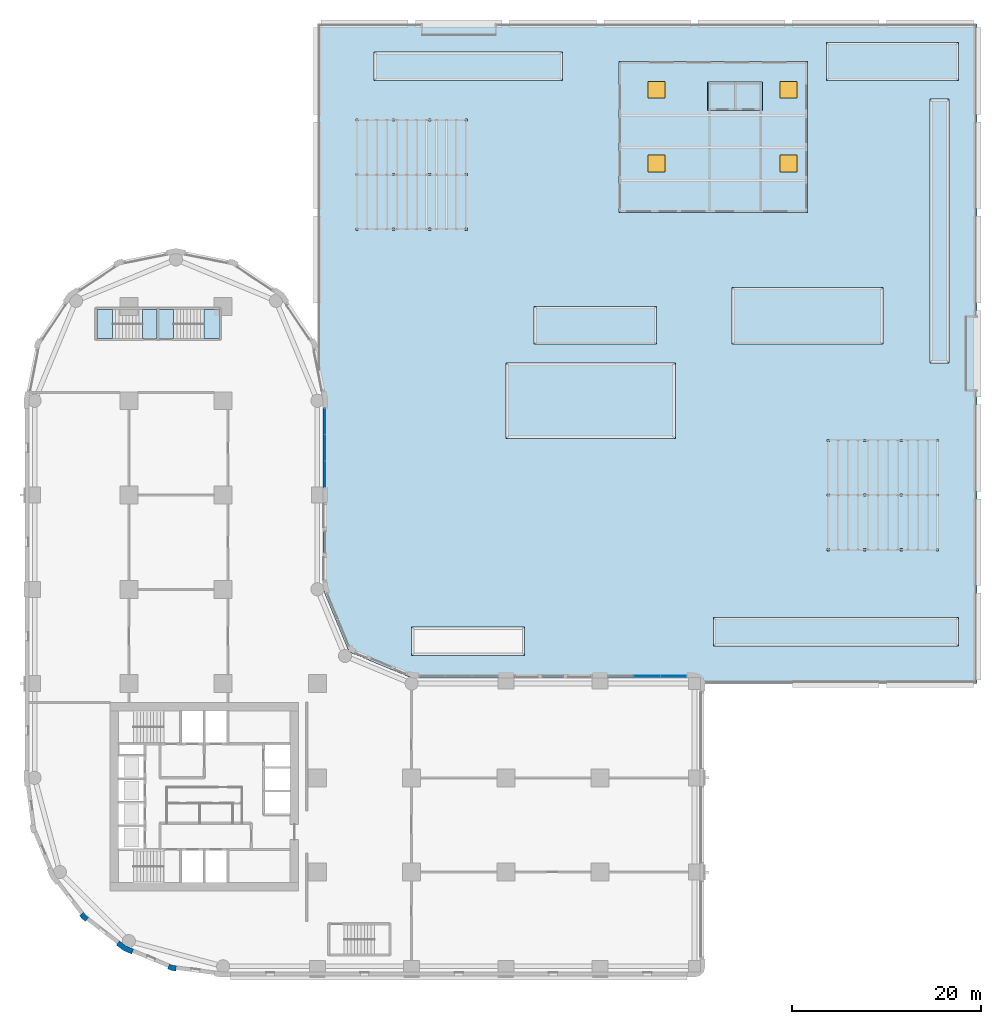
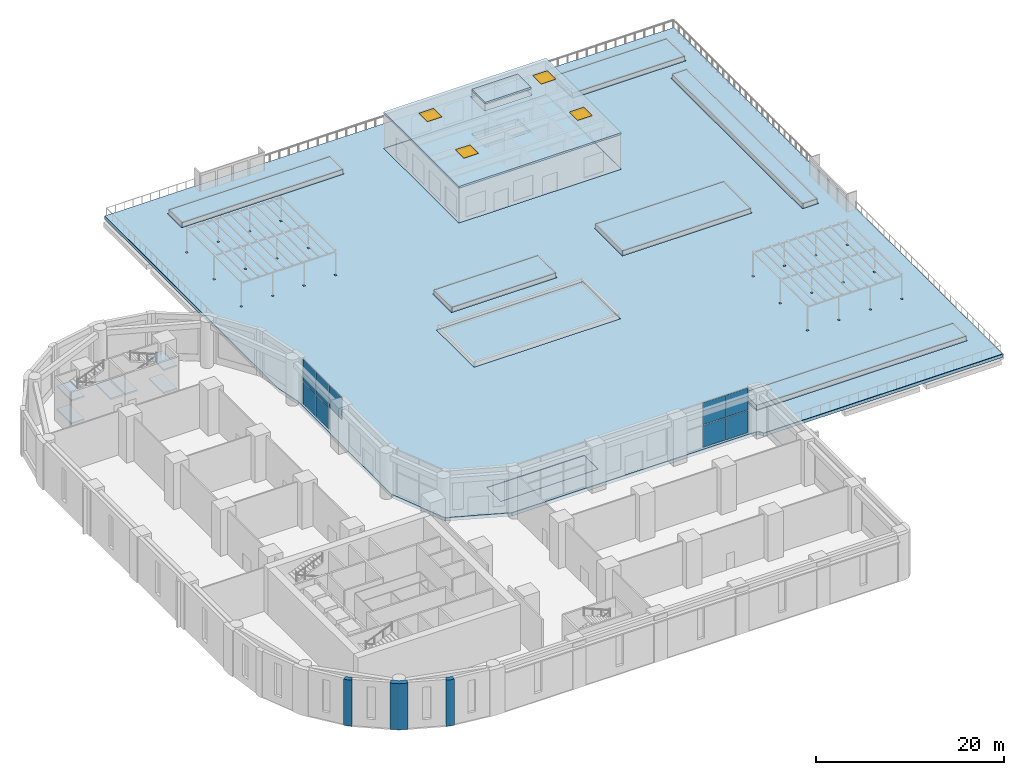
# One storey, part 12 of 28: 16 slabs, 9 plates, 4 windows, 3 walls, 4 openings, 4 elements without a shape of their own.
"""IFC4 building model written with IfcOpenShell, lengths in metres."""

from ifc_helpers import new_model, si_unit, direction, frame, origin, origin_2d, place, context, subcontext, project, spatial, polyline, rectangle, outline, extrude, material, layer, layer_set, type_object, element, fill, aggregate, save


model = new_model("IFC4")

# Units and contexts
model_context = context("Model", 3, precision=1e-05, world=origin(), true_north=direction((0.0, 1.0)))
body_context = subcontext(model_context, "Body", "Model", "MODEL_VIEW")
ifc_project = project(units=[si_unit("LENGTHUNIT", "METRE"), si_unit("AREAUNIT", "SQUARE_METRE"), si_unit("VOLUMEUNIT", "CUBIC_METRE"), si_unit("PLANEANGLEUNIT", "RADIAN"), si_unit("MASSUNIT", "GRAM", prefix="KILO")], contexts=[model_context])

# Site, building, storey
site_placement = place(None, origin())
site = spatial("IfcSite", under=ifc_project, at=site_placement, CompositionType="ELEMENT")
building_placement = place(site_placement, origin())
building = spatial("IfcBuilding", under=site, at=building_placement, Name="Qaws Garden Tower", CompositionType="ELEMENT")
storey_placement = place(building_placement, frame((0.0, 0.0, 6.0)))
storey = spatial("IfcBuildingStorey", under=building, at=storey_placement, Name="L01", CompositionType="ELEMENT", Elevation=6.0)

# Curtain wall, plates
ifc_material_1 = material(Name="Anodised aluminium curtain wall frame", Category="aluminium")
ifc_layer_1 = layer(ifc_material_1, 0.159912109375)
ifc_layer_set_1 = layer_set([ifc_layer_1], Name="Anodised aluminium curtain wall frame")
curtain_wall_type = type_object("IfcCurtainWallType", Name="CW4 garden level glazing curtain wall", PredefinedType="NOTDEFINED", material=ifc_layer_set_1)
placement_1 = place(storey_placement, origin())
curtain_wall_1 = element("IfcCurtainWall", 1, at=placement_1, inside=storey, type_object=curtain_wall_type, Name="CW4 Garden level glazing 08", PredefinedType="NOTDEFINED")
ifc_material_2 = material(Name="Clear laminated glass", Category="glass")
ifc_layer_2 = layer(ifc_material_2, 0.028076171875)
ifc_layer_set_2 = layer_set([ifc_layer_2], Name="Clear laminated glass")
plate_type = type_object("IfcPlateType", Name="CW4 glass panel 28", PredefinedType="CURTAIN_PANEL", material=ifc_layer_set_2)
plate_1_placement = place(storey_placement, frame((67.78759765625, 30.800048828125, 0.099853515625), z_axis=(0.0, 0.0, 1.0), x_axis=(-1.0, 0.0, 0.0)))
plate_1 = element("IfcPlate", 2, at=plate_1_placement, type_object=plate_type, Name="CW4 panel 1.1", PredefinedType="CURTAIN_PANEL", context=body_context, shape_type="SweptSolid", body=[
    extrude(rectangle(XDim=2.72509765625, YDim=0.028076171875, at=origin_2d()), origin(), (0.0, 0.0, 1.0), 2.85009765625),
])
plate_2_placement = place(storey_placement, frame((67.78759765625, 30.800048828125, 3.050048828125), z_axis=(0.0, 0.0, 1.0), x_axis=(-1.0, 0.0, 0.0)))
plate_2 = element("IfcPlate", 3, at=plate_2_placement, type_object=plate_type, Name="CW4 panel 1.2", PredefinedType="CURTAIN_PANEL", context=body_context, shape_type="SweptSolid", body=[
    extrude(rectangle(XDim=2.72509765625, YDim=0.028076171875, at=origin_2d()), origin(), (0.0, 0.0, 1.0), 2.85009765625),
])
plate_3_placement = place(storey_placement, frame((65.0, 30.800048828125, 0.099853515625), z_axis=(0.0, 0.0, 1.0), x_axis=(-1.0, 0.0, 0.0)))
plate_3 = element("IfcPlate", 4, at=plate_3_placement, type_object=plate_type, Name="CW4 panel 2.1", PredefinedType="CURTAIN_PANEL", context=body_context, shape_type="SweptSolid", body=[
    extrude(rectangle(XDim=2.75, YDim=0.028076171875, at=origin_2d()), origin(), (0.0, 0.0, 1.0), 2.85009765625),
])
plate_4_placement = place(storey_placement, frame((65.0, 30.800048828125, 3.050048828125), z_axis=(0.0, 0.0, 1.0), x_axis=(-1.0, 0.0, 0.0)))
plate_4 = element("IfcPlate", 5, at=plate_4_placement, type_object=plate_type, Name="CW4 panel 2.2", PredefinedType="CURTAIN_PANEL", context=body_context, shape_type="SweptSolid", body=[
    extrude(rectangle(XDim=2.75, YDim=0.028076171875, at=origin_2d()), origin(), (0.0, 0.0, 1.0), 2.85009765625),
])
aggregate(curtain_wall_1, [plate_1, plate_2, plate_3, plate_4])

curtain_wall_2 = element("IfcCurtainWall", 6, at=placement_1, inside=storey, type_object=curtain_wall_type, Name="CW4 Garden level glazing 14", PredefinedType="NOTDEFINED")
plate_5_placement = place(storey_placement, frame((30.800048828125, 52.21240234375, 3.050048828125), z_axis=(0.0, 0.0, 1.0), x_axis=(0.0, 1.0, 0.0)))
plate_5 = element("IfcPlate", 7, at=plate_5_placement, type_object=plate_type, Name="CW4 panel 1.2", PredefinedType="CURTAIN_PANEL", context=body_context, shape_type="SweptSolid", body=[
    extrude(rectangle(XDim=2.72509765625, YDim=0.028076171875, at=origin_2d()), origin(), (0.0, 0.0, 1.0), 2.85009765625),
])
plate_6_placement = place(storey_placement, frame((30.800048828125, 55.0, 0.099853515625), z_axis=(0.0, 0.0, 1.0), x_axis=(0.0, 1.0, 0.0)))
plate_6 = element("IfcPlate", 8, at=plate_6_placement, type_object=plate_type, Name="CW4 panel 2.1", PredefinedType="CURTAIN_PANEL", context=body_context, shape_type="SweptSolid", body=[
    extrude(rectangle(XDim=2.75, YDim=0.028076171875, at=origin_2d()), origin(), (0.0, 0.0, 1.0), 2.85009765625),
])
plate_7_placement = place(storey_placement, frame((30.800048828125, 55.0, 3.050048828125), z_axis=(0.0, 0.0, 1.0), x_axis=(0.0, 1.0, 0.0)))
plate_7 = element("IfcPlate", 9, at=plate_7_placement, type_object=plate_type, Name="CW4 panel 2.2", PredefinedType="CURTAIN_PANEL", context=body_context, shape_type="SweptSolid", body=[
    extrude(rectangle(XDim=2.75, YDim=0.028076171875, at=origin_2d()), origin(), (0.0, 0.0, 1.0), 2.85009765625),
])
plate_8_placement = place(storey_placement, frame((30.800048828125, 57.78759765625, 0.099853515625), z_axis=(0.0, 0.0, 1.0), x_axis=(0.0, 1.0, 0.0)))
plate_8 = element("IfcPlate", 10, at=plate_8_placement, type_object=plate_type, Name="CW4 panel 3.1", PredefinedType="CURTAIN_PANEL", context=body_context, shape_type="SweptSolid", body=[
    extrude(rectangle(XDim=2.72509765625, YDim=0.028076171875, at=origin_2d()), origin(), (0.0, 0.0, 1.0), 2.85009765625),
])
plate_9_placement = place(storey_placement, frame((30.800048828125, 57.78759765625, 3.050048828125), z_axis=(0.0, 0.0, 1.0), x_axis=(0.0, 1.0, 0.0)))
plate_9 = element("IfcPlate", 11, at=plate_9_placement, type_object=plate_type, Name="CW4 panel 3.2", PredefinedType="CURTAIN_PANEL", context=body_context, shape_type="SweptSolid", body=[
    extrude(rectangle(XDim=2.72509765625, YDim=0.028076171875, at=origin_2d()), origin(), (0.0, 0.0, 1.0), 2.85009765625),
])
aggregate(curtain_wall_2, [plate_5, plate_6, plate_7, plate_8, plate_9])

# Slabs
ifc_material_3 = material(Name="Limestone paving", Category="masonry")
ifc_layer_3 = layer(ifc_material_3, 0.0400390625)
ifc_layer_set_3 = layer_set([ifc_layer_3], Name="Limestone paving")
slab_type_1 = type_object("IfcSlabType", Name="Deck paving 40", PredefinedType="FLOOR", material=ifc_layer_set_3)
placement_2 = place(storey_placement, frame((0.0, 0.0, -0.0400390625)))
element("IfcSlab", 12, at=placement_2, inside=storey, type_object=slab_type_1, Name="Deck paving", PredefinedType="FLOOR", context=body_context, shape_type="SweptSolid", body=[
    extrude(outline(polyline([(70.60009765625, 30.0), (100.0, 30.0), (100.0, 61.0), (100.0, 63.0), (100.0, 65.0), (100.0, 67.0), (100.0, 69.0), (100.0, 100.0), (49.0, 100.0), (47.0, 100.0), (45.0, 100.0), (43.0, 100.0), (41.0, 100.0), (30.0, 100.0), (30.0, 63.016357421875), (30.60009765625, 60.0), (30.60009765625, 40.0), (33.353271484375, 33.353271484375), (40.0, 30.60009765625), (70.0, 30.60009765625), (70.42431640625, 30.42431640625), (70.60009765625, 30.0)]), holes=[polyline([(34.320068359375, 78.080078125), (34.320068359375, 78.320068359375), (34.080078125, 78.320068359375), (34.080078125, 78.080078125), (34.320068359375, 78.080078125)]), polyline([(38.186767578125, 78.080078125), (38.186767578125, 78.320068359375), (37.94677734375, 78.320068359375), (37.94677734375, 78.080078125), (38.186767578125, 78.080078125)]), polyline([(42.05322265625, 78.080078125), (42.05322265625, 78.320068359375), (41.813232421875, 78.320068359375), (41.813232421875, 78.080078125), (42.05322265625, 78.080078125)]), polyline([(45.679931640625, 78.080078125), (45.919921875, 78.080078125), (45.919921875, 78.320068359375), (45.679931640625, 78.320068359375), (45.679931640625, 78.080078125)]), polyline([(34.080078125, 83.8798828125), (34.320068359375, 83.8798828125), (34.320068359375, 84.1201171875), (34.080078125, 84.1201171875), (34.080078125, 83.8798828125)]), polyline([(38.186767578125, 83.8798828125), (38.186767578125, 84.1201171875), (37.94677734375, 84.1201171875), (37.94677734375, 83.8798828125), (38.186767578125, 83.8798828125)]), polyline([(42.05322265625, 83.8798828125), (42.05322265625, 84.1201171875), (41.813232421875, 84.1201171875), (41.813232421875, 83.8798828125), (42.05322265625, 83.8798828125)]), polyline([(45.919921875, 83.8798828125), (45.919921875, 84.1201171875), (45.679931640625, 84.1201171875), (45.679931640625, 83.8798828125), (45.919921875, 83.8798828125)]), polyline([(34.080078125, 89.679931640625), (34.320068359375, 89.679931640625), (34.320068359375, 89.919921875), (34.080078125, 89.919921875), (34.080078125, 89.679931640625)]), polyline([(37.94677734375, 89.679931640625), (38.186767578125, 89.679931640625), (38.186767578125, 89.919921875), (37.94677734375, 89.919921875), (37.94677734375, 89.679931640625)]), polyline([(42.05322265625, 89.679931640625), (42.05322265625, 89.919921875), (41.813232421875, 89.919921875), (41.813232421875, 89.679931640625), (42.05322265625, 89.679931640625)]), polyline([(45.919921875, 89.679931640625), (45.919921875, 89.919921875), (45.679931640625, 89.919921875), (45.679931640625, 89.679931640625), (45.919921875, 89.679931640625)]), polyline([(40.0, 33.0), (52.0, 33.0), (52.0, 36.0), (40.0, 36.0), (40.0, 33.0)]), polyline([(98.0, 34.0), (98.0, 37.0), (72.0, 37.0), (72.0, 34.0), (98.0, 34.0)]), polyline([(84.320068359375, 44.080078125), (84.320068359375, 44.320068359375), (84.080078125, 44.320068359375), (84.080078125, 44.080078125), (84.320068359375, 44.080078125)]), polyline([(88.186767578125, 44.080078125), (88.186767578125, 44.320068359375), (87.94677734375, 44.320068359375), (87.94677734375, 44.080078125), (88.186767578125, 44.080078125)]), polyline([(84.080078125, 49.8798828125), (84.320068359375, 49.8798828125), (84.320068359375, 50.1201171875), (84.080078125, 50.1201171875), (84.080078125, 49.8798828125)]), polyline([(87.94677734375, 49.8798828125), (88.186767578125, 49.8798828125), (88.186767578125, 50.1201171875), (87.94677734375, 50.1201171875), (87.94677734375, 49.8798828125)]), polyline([(84.320068359375, 55.679931640625), (84.320068359375, 55.919921875), (84.080078125, 55.919921875), (84.080078125, 55.679931640625), (84.320068359375, 55.679931640625)]), polyline([(68.0, 56.0), (68.0, 64.0), (50.0, 64.0), (50.0, 56.0), (68.0, 56.0)]), polyline([(66.0, 66.0), (66.0, 70.0), (53.0, 70.0), (53.0, 66.0), (66.0, 66.0)]), polyline([(74.0, 66.0), (90.0, 66.0), (90.0, 72.0), (74.0, 72.0), (74.0, 66.0)]), polyline([(62.0, 80.0), (82.0, 80.0), (82.0, 96.0), (62.0, 96.0), (62.0, 80.0)]), polyline([(56.0, 94.0), (56.0, 97.0), (36.0, 97.0), (36.0, 94.0), (56.0, 94.0)]), polyline([(91.813232421875, 44.080078125), (92.05322265625, 44.080078125), (92.05322265625, 44.320068359375), (91.813232421875, 44.320068359375), (91.813232421875, 44.080078125)]), polyline([(95.679931640625, 44.080078125), (95.919921875, 44.080078125), (95.919921875, 44.320068359375), (95.679931640625, 44.320068359375), (95.679931640625, 44.080078125)]), polyline([(92.05322265625, 49.8798828125), (92.05322265625, 50.1201171875), (91.813232421875, 50.1201171875), (91.813232421875, 49.8798828125), (92.05322265625, 49.8798828125)]), polyline([(95.919921875, 49.8798828125), (95.919921875, 50.1201171875), (95.679931640625, 50.1201171875), (95.679931640625, 49.8798828125), (95.919921875, 49.8798828125)]), polyline([(88.186767578125, 55.679931640625), (88.186767578125, 55.919921875), (87.94677734375, 55.919921875), (87.94677734375, 55.679931640625), (88.186767578125, 55.679931640625)]), polyline([(91.813232421875, 55.679931640625), (92.05322265625, 55.679931640625), (92.05322265625, 55.919921875), (91.813232421875, 55.919921875), (91.813232421875, 55.679931640625)]), polyline([(95.679931640625, 55.679931640625), (95.919921875, 55.679931640625), (95.919921875, 55.919921875), (95.679931640625, 55.919921875), (95.679931640625, 55.679931640625)]), polyline([(95.0, 64.0), (97.0, 64.0), (97.0, 92.0), (95.0, 92.0), (95.0, 64.0)]), polyline([(84.0, 94.0), (98.0, 94.0), (98.0, 98.0), (84.0, 98.0), (84.0, 94.0)])]), origin(), (0.0, 0.0, 1.0), 0.0400390625),
])
ifc_material_4 = material(Name="Concrete C45", Category="concrete")
ifc_layer_4 = layer(ifc_material_4, 0.409912109375)
ifc_layer_set_4 = layer_set([ifc_layer_4], Name="Concrete C45")
slab_type_2 = type_object("IfcSlabType", Name="Garden deck slab 410", PredefinedType="FLOOR", material=ifc_layer_set_4)
slab_2_placement = place(storey_placement, frame((0.0, 0.0, -0.449951171875)))
element("IfcSlab", 13, at=slab_2_placement, inside=storey, type_object=slab_type_2, Name="Garden deck slab", PredefinedType="FLOOR", context=body_context, shape_type="SweptSolid", body=[
    extrude(outline(polyline([(70.60009765625, 30.0), (100.0, 30.0), (100.0, 100.0), (30.0, 100.0), (30.0, 63.016357421875), (30.60009765625, 60.0), (30.60009765625, 40.0), (33.353271484375, 33.353271484375), (40.0, 30.60009765625), (70.0, 30.60009765625), (70.42431640625, 30.42431640625), (70.60009765625, 30.0)]), holes=[polyline([(77.14990234375, 93.699951171875), (71.5, 93.699951171875), (71.5, 90.89990234375), (77.14990234375, 90.89990234375), (77.14990234375, 93.699951171875)])]), origin(), (0.0, 0.0, 1.0), 0.409912109375),
])
ifc_material_5 = material(Name="Concrete C40", Category="concrete")
ifc_layer_5 = layer(ifc_material_5, 0.25)
ifc_layer_set_5 = layer_set([ifc_layer_5], Name="Concrete C40")
slab_type_3 = type_object("IfcSlabType", Name="Lift overrun roof 250", PredefinedType="ROOF", material=ifc_layer_set_5)
slab_3_placement = place(storey_placement, frame((0.0, 0.0, 5.5)))
element("IfcSlab", 14, at=slab_3_placement, inside=storey, type_object=slab_type_3, Name="Lift overrun roof", PredefinedType="ROOF", context=body_context, shape_type="SweptSolid", body=[
    extrude(outline(polyline([(71.5, 90.89990234375), (77.14990234375, 90.89990234375), (77.14990234375, 93.699951171875), (71.5, 93.699951171875), (71.5, 90.89990234375)])), origin(), (0.0, 0.0, 1.0), 0.25),
])
ifc_material_6 = material(Name="Planting soil")
ifc_layer_6 = layer(ifc_material_6, 0.60009765625)
ifc_layer_set_6 = layer_set([ifc_layer_6], Name="Planting soil")
slab_type_4 = type_object("IfcSlabType", Name="PLANTER bed 600", PredefinedType="FLOOR", material=ifc_layer_set_6)
element("IfcSlab", 15, at=placement_2, inside=storey, type_object=slab_type_4, Name="PLANTER 01", PredefinedType="FLOOR", context=body_context, shape_type="SweptSolid", body=[
    extrude(outline(polyline([(36.125, 94.125), (55.875, 94.125), (55.875, 96.875), (36.125, 96.875), (36.125, 94.125)])), origin(), (0.0, 0.0, 1.0), 0.60009765625),
])
element("IfcSlab", 16, at=placement_2, inside=storey, type_object=slab_type_4, Name="PLANTER 02", PredefinedType="FLOOR", context=body_context, shape_type="SweptSolid", body=[
    extrude(outline(polyline([(84.125, 94.125), (97.875, 94.125), (97.875, 97.875), (84.125, 97.875), (84.125, 94.125)])), origin(), (0.0, 0.0, 1.0), 0.60009765625),
])
element("IfcSlab", 17, at=placement_2, inside=storey, type_object=slab_type_4, Name="PLANTER 03", PredefinedType="FLOOR", context=body_context, shape_type="SweptSolid", body=[
    extrude(outline(polyline([(95.125, 64.125), (96.875, 64.125), (96.875, 91.875), (95.125, 91.875), (95.125, 64.125)])), origin(), (0.0, 0.0, 1.0), 0.60009765625),
])
element("IfcSlab", 18, at=placement_2, inside=storey, type_object=slab_type_4, Name="PLANTER 05", PredefinedType="FLOOR", context=body_context, shape_type="SweptSolid", body=[
    extrude(outline(polyline([(72.125, 34.125), (97.875, 34.125), (97.875, 36.875), (72.125, 36.875), (72.125, 34.125)])), origin(), (0.0, 0.0, 1.0), 0.60009765625),
])
element("IfcSlab", 19, at=placement_2, inside=storey, type_object=slab_type_4, Name="PLANTER 06", PredefinedType="FLOOR", context=body_context, shape_type="SweptSolid", body=[
    extrude(outline(polyline([(53.125, 66.125), (65.875, 66.125), (65.875, 69.875), (53.125, 69.875), (53.125, 66.125)])), origin(), (0.0, 0.0, 1.0), 0.60009765625),
])
element("IfcSlab", 20, at=placement_2, inside=storey, type_object=slab_type_4, Name="PLANTER 07", PredefinedType="FLOOR", context=body_context, shape_type="SweptSolid", body=[
    extrude(outline(polyline([(74.125, 66.125), (89.875, 66.125), (89.875, 71.875), (74.125, 71.875), (74.125, 66.125)])), origin(), (0.0, 0.0, 1.0), 0.60009765625),
])

# Slab, openings, windows
ifc_material_7 = material(Name="Concrete C40", Category="concrete")
ifc_layer_7 = layer(ifc_material_7, 0.25)
ifc_layer_set_7 = layer_set([ifc_layer_7], Name="Concrete C40")
slab_type_5 = type_object("IfcSlabType", Name="Pavilion roof 250", PredefinedType="ROOF", material=ifc_layer_set_7)
slab_10_placement = place(storey_placement, frame((0.0, 0.0, 4.5)))
slab_10 = element("IfcSlab", 21, at=slab_10_placement, inside=storey, type_object=slab_type_5, Name="Garden pavilion roof", PredefinedType="ROOF", context=body_context, shape_type="SweptSolid", body=[
    extrude(outline(polyline([(62.0, 80.0), (82.0, 80.0), (82.0, 96.0), (62.0, 96.0), (62.0, 80.0)]), holes=[polyline([(77.25, 93.800048828125), (71.39990234375, 93.800048828125), (71.39990234375, 90.800048828125), (77.25, 90.800048828125), (77.25, 93.800048828125)])]), origin(), (0.0, 0.0, 1.0), 0.25),
])
opening_1_placement = place(slab_10_placement, frame((66.0, 85.199951171875, 0.0)))
opening_1 = element("IfcOpeningElement", 22, at=opening_1_placement, cuts=slab_10, Name="Opening PW-S2", PredefinedType="OPENING", context=body_context, shape_type="SweptSolid", body=[
    extrude(rectangle(XDim=1.800048828125, YDim=1.800048828125, at=origin_2d()), origin(), (0.0, 0.0, 1.0), 0.25),
])
opening_2_placement = place(slab_10_placement, frame((80.0, 85.199951171875, 0.0)))
opening_2 = element("IfcOpeningElement", 23, at=opening_2_placement, cuts=slab_10, Name="Opening PW-S2", PredefinedType="OPENING", context=body_context, shape_type="SweptSolid", body=[
    extrude(rectangle(XDim=1.800048828125, YDim=1.800048828125, at=origin_2d()), origin(), (0.0, 0.0, 1.0), 0.25),
])
opening_3_placement = place(slab_10_placement, frame((66.0, 93.0, 0.0)))
opening_3 = element("IfcOpeningElement", 24, at=opening_3_placement, cuts=slab_10, Name="Opening PW-S2", PredefinedType="OPENING", context=body_context, shape_type="SweptSolid", body=[
    extrude(rectangle(XDim=1.800048828125, YDim=1.800048828125, at=origin_2d()), origin(), (0.0, 0.0, 1.0), 0.25),
])
opening_4_placement = place(slab_10_placement, frame((80.0, 93.0, 0.0)))
opening_4 = element("IfcOpeningElement", 25, at=opening_4_placement, cuts=slab_10, Name="Opening PW-S2", PredefinedType="OPENING", context=body_context, shape_type="SweptSolid", body=[
    extrude(rectangle(XDim=1.800048828125, YDim=1.800048828125, at=origin_2d()), origin(), (0.0, 0.0, 1.0), 0.25),
])
ifc_material_8 = material(Name="Aluminium and laminated glass", Category="aluminium")
window_type = type_object("IfcWindowType", Name="Pavilion skylight 1800", PartitioningType="SINGLE_PANEL", PredefinedType="SKYLIGHT", material=ifc_material_8)
window_1_placement = place(opening_1_placement, frame((0.0, 0.0, 0.199951171875)))
window_1 = element("IfcWindow", 26, at=window_1_placement, inside=storey, type_object=window_type, Name="Pavilion skylight", OverallHeight=1.800048828125, OverallWidth=1.800048828125, PartitioningType="SINGLE_PANEL", PredefinedType="SKYLIGHT", context=body_context, shape_type="SweptSolid", body=[
    extrude(rectangle(XDim=1.800048828125, YDim=1.800048828125, at=origin_2d()), origin(), (0.0, 0.0, 1.0), 0.050048828125),
])
fill(opening_1, window_1)
window_2_placement = place(opening_2_placement, frame((0.0, 0.0, 0.199951171875)))
window_2 = element("IfcWindow", 27, at=window_2_placement, inside=storey, type_object=window_type, Name="Pavilion skylight", OverallHeight=1.800048828125, OverallWidth=1.800048828125, PartitioningType="SINGLE_PANEL", PredefinedType="SKYLIGHT", context=body_context, shape_type="SweptSolid", body=[
    extrude(rectangle(XDim=1.800048828125, YDim=1.800048828125, at=origin_2d()), origin(), (0.0, 0.0, 1.0), 0.050048828125),
])
fill(opening_2, window_2)
window_3_placement = place(opening_3_placement, frame((0.0, 0.0, 0.199951171875)))
window_3 = element("IfcWindow", 28, at=window_3_placement, inside=storey, type_object=window_type, Name="Pavilion skylight", OverallHeight=1.800048828125, OverallWidth=1.800048828125, PartitioningType="SINGLE_PANEL", PredefinedType="SKYLIGHT", context=body_context, shape_type="SweptSolid", body=[
    extrude(rectangle(XDim=1.800048828125, YDim=1.800048828125, at=origin_2d()), origin(), (0.0, 0.0, 1.0), 0.050048828125),
])
fill(opening_3, window_3)
window_4_placement = place(opening_4_placement, frame((0.0, 0.0, 0.199951171875)))
window_4 = element("IfcWindow", 29, at=window_4_placement, inside=storey, type_object=window_type, Name="Pavilion skylight", OverallHeight=1.800048828125, OverallWidth=1.800048828125, PartitioningType="SINGLE_PANEL", PredefinedType="SKYLIGHT", context=body_context, shape_type="SweptSolid", body=[
    extrude(rectangle(XDim=1.800048828125, YDim=1.800048828125, at=origin_2d()), origin(), (0.0, 0.0, 1.0), 0.050048828125),
])
fill(opening_4, window_4)

# Stair, slabs
ifc_material_9 = material(Name="Concrete C40", Category="concrete")
stair_type = type_object("IfcStairType", Name="Exit stair 1350", PredefinedType="HALF_TURN_STAIR", material=ifc_material_9)
stair_1 = element("IfcStair", 30, at=placement_1, inside=storey, type_object=stair_type, Name="Stair 6", PredefinedType="HALF_TURN_STAIR")
ifc_material_10 = material(Name="Concrete C40", Category="concrete")
ifc_layer_8 = layer(ifc_material_10, 0.199951171875)
ifc_layer_set_8 = layer_set([ifc_layer_8], Name="Concrete C40")
slab_type_6 = type_object("IfcSlabType", Name="Stair landing 200", PredefinedType="LANDING", material=ifc_layer_set_8)
placement_3 = place(storey_placement, frame((0.0, 0.0, 1.300048828125)))
slab_11 = element("IfcSlab", 31, at=placement_3, type_object=slab_type_6, Name="ST6 landing 1", PredefinedType="LANDING", context=body_context, shape_type="SweptSolid", body=[
    extrude(outline(polyline([(6.60009765625, 66.60009765625), (8.24609375, 66.60009765625), (8.24609375, 69.699951171875), (6.60009765625, 69.699951171875), (6.60009765625, 66.60009765625)])), origin(), (0.0, 0.0, 1.0), 0.199951171875),
])
placement_4 = place(storey_placement, frame((0.0, 0.0, 2.800048828125)))
slab_12 = element("IfcSlab", 32, at=placement_4, type_object=slab_type_6, Name="ST6 landing 2", PredefinedType="LANDING", context=body_context, shape_type="SweptSolid", body=[
    extrude(outline(polyline([(11.449951171875, 66.60009765625), (13.0, 66.60009765625), (13.0, 69.699951171875), (11.449951171875, 69.699951171875), (11.449951171875, 66.60009765625)])), origin(), (0.0, 0.0, 1.0), 0.199951171875),
])
placement_5 = place(storey_placement, frame((0.0, 0.0, 4.300048828125)))
slab_13 = element("IfcSlab", 33, at=placement_5, type_object=slab_type_6, Name="ST6 landing 3", PredefinedType="LANDING", context=body_context, shape_type="SweptSolid", body=[
    extrude(outline(polyline([(6.60009765625, 66.60009765625), (8.24609375, 66.60009765625), (8.24609375, 69.699951171875), (6.60009765625, 69.699951171875), (6.60009765625, 66.60009765625)])), origin(), (0.0, 0.0, 1.0), 0.199951171875),
])
aggregate(stair_1, [slab_11, slab_12, slab_13])

stair_2 = element("IfcStair", 34, at=placement_1, inside=storey, type_object=stair_type, Name="Stair 7", PredefinedType="HALF_TURN_STAIR")
slab_14 = element("IfcSlab", 35, at=placement_3, type_object=slab_type_6, Name="ST7 landing 1", PredefinedType="LANDING", context=body_context, shape_type="SweptSolid", body=[
    extrude(outline(polyline([(17.9541015625, 66.60009765625), (19.60009765625, 66.60009765625), (19.60009765625, 69.699951171875), (17.9541015625, 69.699951171875), (17.9541015625, 66.60009765625)])), origin(), (0.0, 0.0, 1.0), 0.199951171875),
])
slab_15 = element("IfcSlab", 36, at=placement_4, type_object=slab_type_6, Name="ST7 landing 2", PredefinedType="LANDING", context=body_context, shape_type="SweptSolid", body=[
    extrude(outline(polyline([(13.199951171875, 66.60009765625), (14.75, 66.60009765625), (14.75, 69.699951171875), (13.199951171875, 69.699951171875), (13.199951171875, 66.60009765625)])), origin(), (0.0, 0.0, 1.0), 0.199951171875),
])
slab_16 = element("IfcSlab", 37, at=placement_5, type_object=slab_type_6, Name="ST7 landing 3", PredefinedType="LANDING", context=body_context, shape_type="SweptSolid", body=[
    extrude(outline(polyline([(17.9541015625, 66.60009765625), (19.60009765625, 66.60009765625), (19.60009765625, 69.699951171875), (17.9541015625, 69.699951171875), (17.9541015625, 66.60009765625)])), origin(), (0.0, 0.0, 1.0), 0.199951171875),
])
aggregate(stair_2, [slab_14, slab_15, slab_16])

# Walls
ifc_material_11 = material(Name="Limestone ashlar masonry", Category="masonry")
ifc_layer_9 = layer(ifc_material_11, 0.550048828125)
ifc_layer_set_9 = layer_set([ifc_layer_9], Name="Limestone ashlar masonry")
wall_type_1 = type_object("IfcWallType", Name="Stone kink pier 550 x 600", PredefinedType="SOLIDWALL", material=ifc_layer_set_9)
element("IfcWall", 38, at=placement_1, inside=storey, type_object=wall_type_1, Name="E-L01-pier-30", PredefinedType="SOLIDWALL", context=body_context, shape_type="SweptSolid", body=[
    extrude(outline(polyline([(4.8818359375, 5.487060546875), (4.762939453125, 5.395751953125), (5.03759765625, 5.03759765625), (5.395751953125, 4.762939453125), (5.487060546875, 4.8818359375), (5.730712890625, 5.19921875), (5.429931640625, 5.429931640625), (5.19921875, 5.730712890625), (4.8818359375, 5.487060546875)])), origin(), (0.0, 0.0, 1.0), 6.0),
])
element("IfcWall", 39, at=placement_1, inside=storey, type_object=wall_type_1, Name="E-L01-pier-32", PredefinedType="SOLIDWALL", context=body_context, shape_type="SweptSolid", body=[
    extrude(outline(polyline([(14.163818359375, -0.127685546875), (14.1064453125, -0.26611328125), (14.5234375, -0.43896484375), (14.970947265625, -0.497802734375), (14.990478515625, -0.34912109375), (15.042724609375, 0.04736328125), (14.6669921875, 0.096923828125), (14.31689453125, 0.241943359375), (14.163818359375, -0.127685546875)])), origin(), (0.0, 0.0, 1.0), 6.0),
])
ifc_material_12 = material(Name="Limestone ashlar masonry", Category="masonry")
ifc_layer_10 = layer(ifc_material_12, 0.550048828125)
ifc_layer_set_10 = layer_set([ifc_layer_10], Name="Limestone ashlar masonry")
wall_type_2 = type_object("IfcWallType", Name="Stone pier 550 x 1600", PredefinedType="SOLIDWALL", material=ifc_layer_set_10)
element("IfcWall", 40, at=placement_1, inside=storey, type_object=wall_type_2, Name="E-L01-pier-31", PredefinedType="SOLIDWALL", context=body_context, shape_type="SweptSolid", body=[
    extrude(outline(polyline([(8.756591796875, 2.373046875), (8.665283203125, 2.254150390625), (9.419921875, 1.675048828125), (10.299072265625, 1.310791015625), (10.3564453125, 1.449462890625), (10.509521484375, 1.819091796875), (9.697509765625, 2.1552734375), (9.0, 2.6904296875), (8.756591796875, 2.373046875)])), origin(), (0.0, 0.0, 1.0), 6.0),
])

save(model, "model.ifc")
